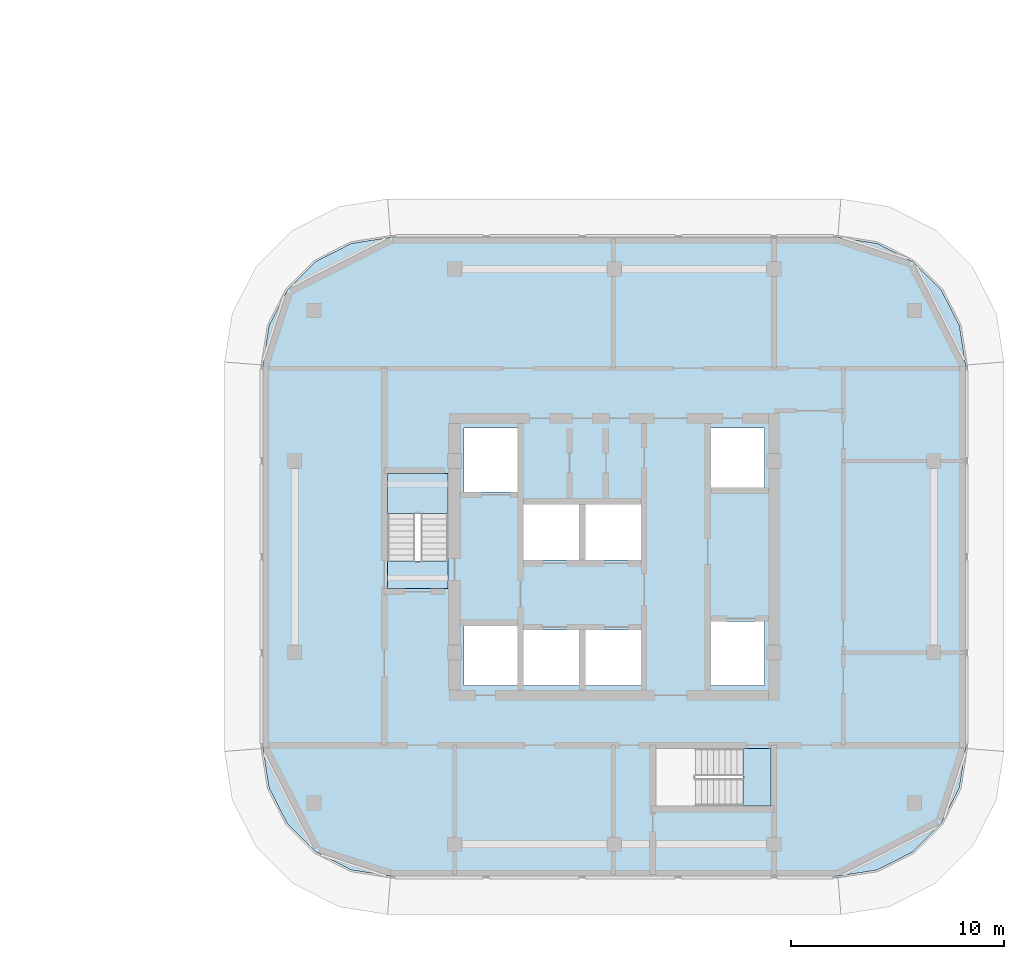
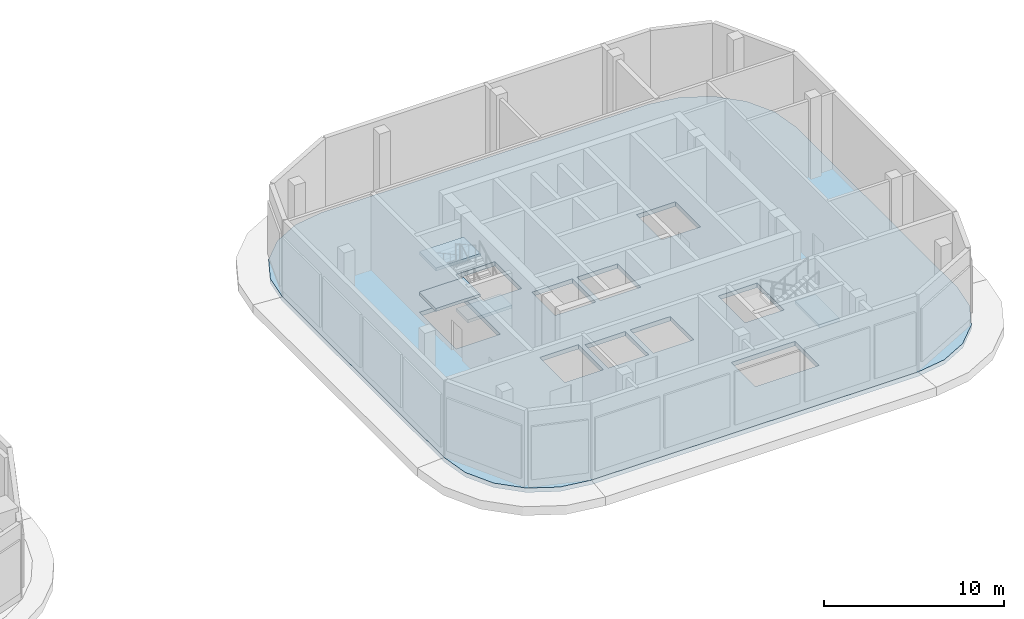
# One storey, part 2 of 23: 5 slabs, 2 elements without a shape of their own.
"""IFC4 building model written with IfcOpenShell, lengths in metres."""

from ifc_helpers import new_model, si_unit, direction, frame, origin, place, context, subcontext, project, spatial, polyline, outline, extrude, material, layer, layer_set, type_object, element, aggregate, save


model = new_model("IFC4")

# Units and contexts
model_context = context("Model", 3, precision=1e-05, world=origin(), true_north=direction((0.0, 1.0)))
body_context = subcontext(model_context, "Body", "Model", "MODEL_VIEW")
ifc_project = project(units=[si_unit("LENGTHUNIT", "METRE"), si_unit("AREAUNIT", "SQUARE_METRE"), si_unit("VOLUMEUNIT", "CUBIC_METRE"), si_unit("PLANEANGLEUNIT", "RADIAN"), si_unit("MASSUNIT", "GRAM", prefix="KILO")], contexts=[model_context])

# Site, building, storey
site_placement = place(None, origin())
site = spatial("IfcSite", under=ifc_project, at=site_placement, CompositionType="ELEMENT")
building_placement = place(site_placement, origin())
building = spatial("IfcBuilding", under=site, at=building_placement, Name="Ogive Portal Towers", CompositionType="ELEMENT")
storey_placement = place(building_placement, frame((0.0, 0.0, 81.60009765625)))
storey = spatial("IfcBuildingStorey", under=building, at=storey_placement, Name="L19", CompositionType="ELEMENT", Elevation=81.60009765625)

# Stair, slabs
ifc_material_1 = material(Name="Concrete C40/50", Category="concrete")
stair_type = type_object("IfcStairType", Name="INT-STAIR", PredefinedType="HALF_TURN_STAIR", material=ifc_material_1)
stair_1_placement = place(storey_placement, origin())
stair_1 = element("IfcStair", 1, at=stair_1_placement, inside=storey, type_object=stair_type, Name="L19 Exit Stair ST-B1", PredefinedType="HALF_TURN_STAIR")
ifc_layer_1 = layer(ifc_material_1, 0.199951171875)
ifc_layer_set_1 = layer_set([ifc_layer_1], Name="INT-LANDING")
slab_type_1 = type_object("IfcSlabType", Name="INT-LANDING", PredefinedType="LANDING", material=ifc_layer_set_1)
slab_1_placement = place(storey_placement, frame((0.0, 0.0, 1.1748046875)))
slab_1 = element("IfcSlab", 2, at=slab_1_placement, type_object=slab_type_1, Name="ST-B1 landing 1", PredefinedType="LANDING", context=body_context, shape_type="SweptSolid", body=[
    extrude(outline(polyline([(128.699951171875, 33.0400390625), (128.699951171875, 34.89990234375), (125.85009765625, 34.89990234375), (125.85009765625, 33.0400390625), (128.699951171875, 33.0400390625)])), origin(), (0.0, 0.0, 1.0), 0.2001953125),
])
slab_2_placement = place(storey_placement, frame((0.0, 0.0, 2.5498046875)))
slab_2 = element("IfcSlab", 3, at=slab_2_placement, type_object=slab_type_1, Name="ST-B1 landing 2", PredefinedType="LANDING", context=body_context, shape_type="SweptSolid", body=[
    extrude(outline(polyline([(128.699951171875, 29.5), (128.699951171875, 30.800048828125), (125.85009765625, 30.800048828125), (125.85009765625, 29.5), (128.699951171875, 29.5)])), origin(), (0.0, 0.0, 1.0), 0.2001953125),
])
slab_3_placement = place(storey_placement, frame((0.0, 0.0, 3.9248046875)))
slab_3 = element("IfcSlab", 4, at=slab_3_placement, type_object=slab_type_1, Name="ST-B1 landing 3", PredefinedType="LANDING", context=body_context, shape_type="SweptSolid", body=[
    extrude(outline(polyline([(128.699951171875, 33.0400390625), (128.699951171875, 34.89990234375), (125.85009765625, 34.89990234375), (125.85009765625, 33.0400390625), (128.699951171875, 33.0400390625)])), origin(), (0.0, 0.0, 1.0), 0.2001953125),
])
aggregate(stair_1, [slab_1, slab_2, slab_3])

# Stair, slab
stair_2_placement = place(storey_placement, origin())
stair_2 = element("IfcStair", 5, at=stair_2_placement, inside=storey, type_object=stair_type, Name="L19 Exit Stair ST-B2", PredefinedType="HALF_TURN_STAIR")
slab_4_placement = place(storey_placement, frame((0.0, 0.0, 2.5498046875)))
slab_4 = element("IfcSlab", 6, at=slab_4_placement, type_object=slab_type_1, Name="ST-B2 landing 2", PredefinedType="LANDING", context=body_context, shape_type="SweptSolid", body=[
    extrude(outline(polyline([(143.85009765625, 22.0), (142.550048828125, 22.0), (142.550048828125, 19.300048828125), (143.85009765625, 19.300048828125), (143.85009765625, 22.0)])), origin(), (0.0, 0.0, 1.0), 0.2001953125),
])
aggregate(stair_2, [slab_4])

# Slab
ifc_material_2 = material(Name="Concrete C45/55", Category="concrete")
ifc_layer_2 = layer(ifc_material_2, 0.300048828125)
ifc_layer_set_2 = layer_set([ifc_layer_2], Name="PT FLAT PLATE 300")
slab_type_2 = type_object("IfcSlabType", Name="PT FLAT PLATE 300", PredefinedType="FLOOR", material=ifc_layer_set_2)
slab_5_placement = place(storey_placement, frame((0.0, 0.0, -0.300048828125)))
element("IfcSlab", 7, at=slab_5_placement, inside=storey, type_object=slab_type_2, Name="Floor slab L19", PredefinedType="FLOOR", context=body_context, shape_type="SweptSolid", body=[
    extrude(outline(polyline([(120.0, 40.0), (120.0, 22.0), (120.293701171875, 20.14599609375), (121.14599609375, 18.473388671875), (122.473388671875, 17.14599609375), (124.14599609375, 16.293701171875), (126.0, 16.0), (147.0, 16.0), (148.85400390625, 16.293701171875), (150.526611328125, 17.14599609375), (151.85400390625, 18.473388671875), (152.706298828125, 20.14599609375), (153.0, 22.0), (153.0, 40.0), (152.706298828125, 41.85400390625), (151.85400390625, 43.526611328125), (150.526611328125, 44.85400390625), (148.85400390625, 45.706298828125), (147.0, 46.0), (126.0, 46.0), (124.14599609375, 45.706298828125), (122.473388671875, 44.85400390625), (121.14599609375, 43.526611328125), (120.293701171875, 41.85400390625), (120.0, 40.0)]), holes=[polyline([(131.949951171875, 27.75), (131.949951171875, 24.949951171875), (129.449951171875, 24.949951171875), (129.449951171875, 27.75), (131.949951171875, 27.75)]), polyline([(128.697998046875, 34.89794921875), (128.697998046875, 30.802001953125), (125.85205078125, 30.802001953125), (125.85205078125, 34.89794921875), (128.697998046875, 34.89794921875)]), polyline([(131.949951171875, 37.050048828125), (131.949951171875, 34.050048828125), (129.449951171875, 34.050048828125), (129.449951171875, 37.050048828125), (131.949951171875, 37.050048828125)]), polyline([(138.451904296875, 21.998046875), (142.548095703125, 21.998046875), (142.548095703125, 19.302001953125), (138.451904296875, 19.302001953125), (138.451904296875, 21.998046875)]), polyline([(134.85009765625, 27.550048828125), (134.85009765625, 24.949951171875), (132.25, 24.949951171875), (132.25, 27.550048828125), (134.85009765625, 27.550048828125)]), polyline([(137.75, 27.550048828125), (137.75, 24.949951171875), (135.14990234375, 24.949951171875), (135.14990234375, 27.550048828125), (137.75, 27.550048828125)]), polyline([(143.550048828125, 27.949951171875), (143.550048828125, 24.949951171875), (141.050048828125, 24.949951171875), (141.050048828125, 27.949951171875), (143.550048828125, 27.949951171875)]), polyline([(134.85009765625, 33.449951171875), (134.85009765625, 30.85009765625), (132.25, 30.85009765625), (132.25, 33.449951171875), (134.85009765625, 33.449951171875)]), polyline([(137.75, 33.449951171875), (137.75, 30.85009765625), (135.14990234375, 30.85009765625), (135.14990234375, 33.449951171875), (137.75, 33.449951171875)]), polyline([(141.050048828125, 37.050048828125), (143.550048828125, 37.050048828125), (143.550048828125, 34.25), (141.050048828125, 34.25), (141.050048828125, 37.050048828125)])]), origin(), (0.0, 0.0, 1.0), 0.300048828125),
])

save(model, "model.ifc")
